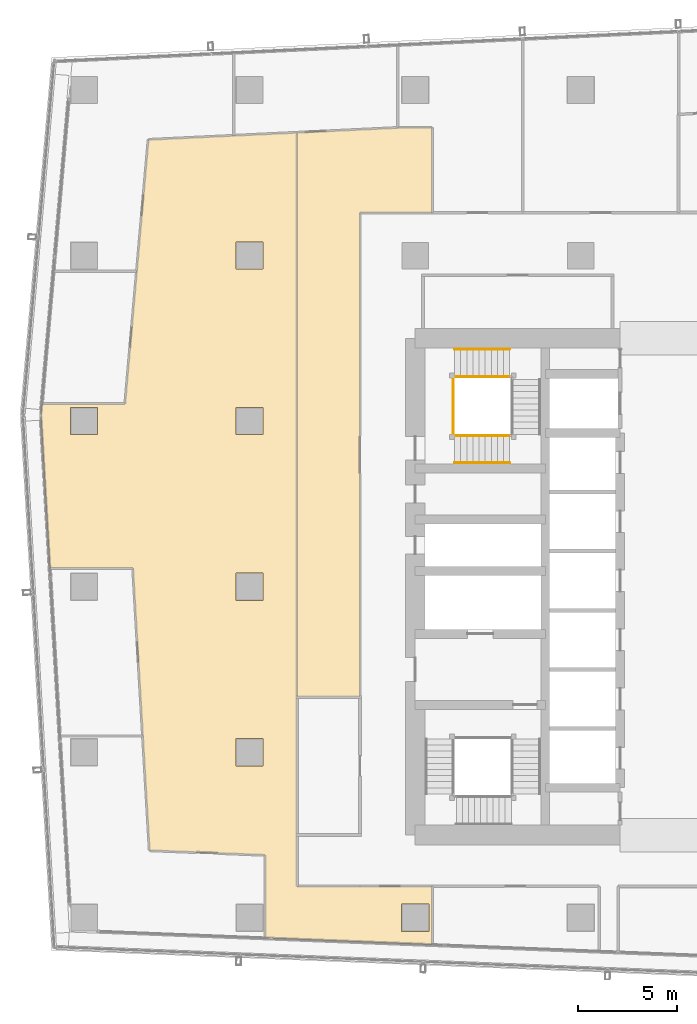
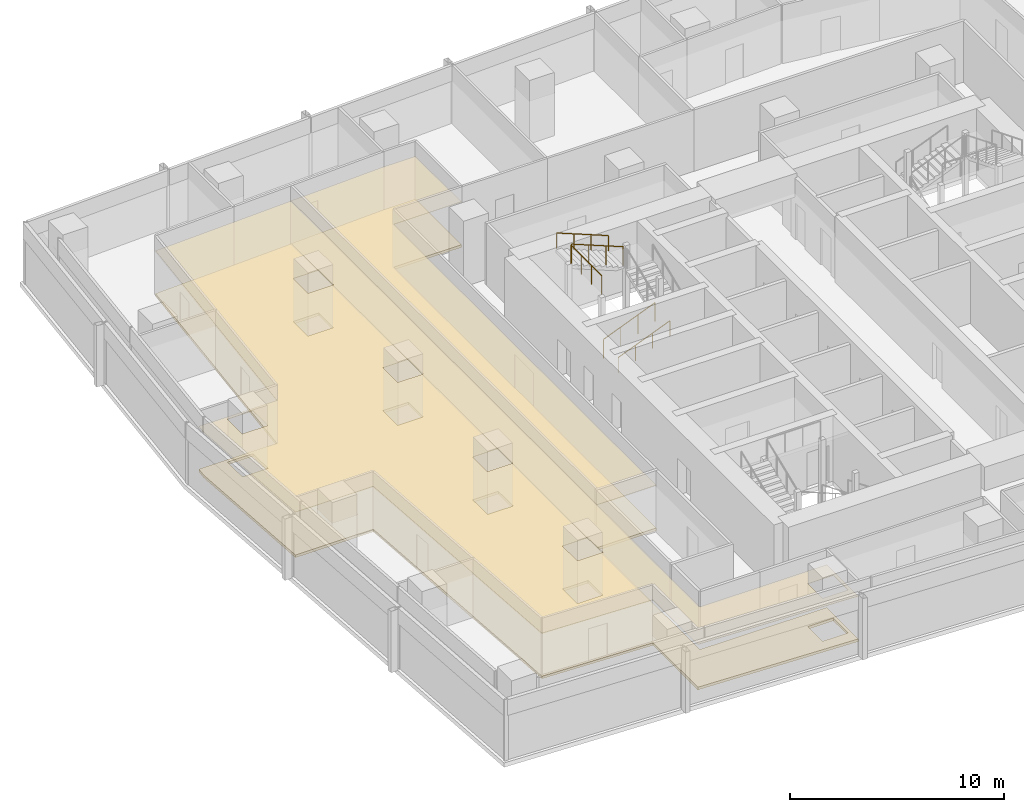
# One storey, part 33 of 38: 5 railings, 4 coverings.
"""IFC4 building model written with IfcOpenShell, lengths in metres."""

import ifcopenshell
import ifcopenshell.guid

model = None  # the IFC model being written
_history = None  # IfcOwnerHistory: only IFC2X3 demands one
_inside = {}  # id of a spatial element -> (the spatial element, [elements in it])
_under = {}  # id of a project, library or spatial element -> (it, [spatial elements below it])
_declared = {}  # id of a project -> (the project, [libraries it declares])
_typed = {}  # id of a type object -> (the type object, [elements of that type])
_made_of = {}  # id of a material, layer set ... -> (it, [elements and type objects made of it])


def new_model(schema):
    """Start an empty IFC model of exactly this schema.

    Asked for "IFC4X3", IfcOpenShell would pick the latest addendum, in which some entities
    have other attributes; the version numbers below select the first issue.
    IFC2X3 requires an IfcOwnerHistory on every rooted entity: one is made here for all.
    """
    global model, _history
    if schema == "IFC4X3":
        model = ifcopenshell.file(schema_version=(4, 3, 0, 0))
    else:
        model = ifcopenshell.file(schema=schema)
    _inside.clear()
    _under.clear()
    _declared.clear()
    _typed.clear()
    _made_of.clear()
    _history = None
    if model.schema == "IFC2X3":
        org = make("IfcOrganization", Name="unknown")
        user = make(
            "IfcPersonAndOrganization",
            ThePerson=make("IfcPerson", FamilyName="unknown"),
            TheOrganization=org,
        )
        app = make(
            "IfcApplication",
            ApplicationDeveloper=org,
            Version="unknown",
            ApplicationFullName="unknown",
            ApplicationIdentifier="unknown",
        )
        _history = make(
            "IfcOwnerHistory",
            OwningUser=user,
            OwningApplication=app,
            ChangeAction="ADDED",
            CreationDate=0,
        )
    return model


def make(cls, **values):
    """One entity of the class cls with the attributes given. An attribute that is None is left unset."""
    return model.create_entity(
        cls, **{name: value for name, value in values.items() if value is not None}
    )


def rooted(cls, **values):
    """An entity with a GlobalId (a new one), such as an element, a storey or a relation."""
    return make(cls, GlobalId=ifcopenshell.guid.new(), OwnerHistory=_history, **values)


def si_unit(unit_type, name, prefix=None):
    """IfcSIUnit, for example si_unit("LENGTHUNIT", "METRE", prefix="MILLI")."""
    return make("IfcSIUnit", UnitType=unit_type, Prefix=prefix, Name=name)


def assignment(units):
    """IfcUnitAssignment: the units of a project."""
    return None if units is None else make("IfcUnitAssignment", Units=units)


def point(xyz):
    """IfcCartesianPoint."""
    return None if xyz is None else make("IfcCartesianPoint", Coordinates=xyz)


def direction(xyz):
    """IfcDirection."""
    return None if xyz is None else make("IfcDirection", DirectionRatios=xyz)


def frame(location, z_axis=None, x_axis=None):
    """IfcAxis2Placement3D, a coordinate frame: its origin and axes. An axis left out is left unset."""
    return make(
        "IfcAxis2Placement3D",
        Location=point(location),
        Axis=direction(z_axis),
        RefDirection=direction(x_axis),
    )


def frame_2d(location, x_axis=None):
    """IfcAxis2Placement2D, a coordinate frame in the plane: its origin and x axis."""
    return make(
        "IfcAxis2Placement2D", Location=point(location), RefDirection=direction(x_axis)
    )


def origin():
    """The frame at (0, 0, 0) with its axes left unset."""
    return frame((0.0, 0.0, 0.0))


def origin_2d():
    """The frame at (0, 0) in the plane with its x axis left unset."""
    return frame_2d((0.0, 0.0))


def place(relative_to, where):
    """IfcLocalPlacement: puts the frame where relative to a parent placement (None: the world)."""
    return make(
        "IfcLocalPlacement", PlacementRelTo=relative_to, RelativePlacement=where
    )


def context(
    kind, dimensions, precision=None, world=None, true_north=None, identifier=None
):
    """IfcGeometricRepresentationContext, for example the 3D "Model" context."""
    return make(
        "IfcGeometricRepresentationContext",
        ContextIdentifier=identifier,
        ContextType=kind,
        CoordinateSpaceDimension=dimensions,
        Precision=precision,
        WorldCoordinateSystem=world,
        TrueNorth=true_north,
    )


def subcontext(parent, identifier, kind, view, scale=None):
    """IfcGeometricRepresentationSubContext, for example "Body" below "Model"."""
    return make(
        "IfcGeometricRepresentationSubContext",
        ContextIdentifier=identifier,
        ContextType=kind,
        ParentContext=parent,
        TargetScale=scale,
        TargetView=view,
    )


def project(units=None, contexts=None):
    """IfcProject with its units and contexts."""
    return rooted(
        "IfcProject",
        Name="project",
        RepresentationContexts=contexts,
        UnitsInContext=assignment(units),
    )


def spatial(cls, under=None, at=None, **own):
    """A site, building, storey or space (cls), placed at a placement, below another one or the project."""
    s = rooted(cls, ObjectPlacement=at, **own)
    if under is not None:
        _under.setdefault(under.id(), (under, []))[1].append(s)
    return s


def polyline(points):
    """IfcPolyline through the points."""
    return make("IfcPolyline", Points=[point(p) for p in points])


def profile(cls, at=None, kind="AREA", **sizes):
    """A parametric profile (cls). Its sizes go by their IFC names, for example OverallWidth=200.0."""
    return make(cls, ProfileType=kind, Position=at, **sizes)


def circle(**sizes):
    """IfcCircleProfileDef."""
    return profile("IfcCircleProfileDef", **sizes)


def outline(outer, holes=None, kind="AREA"):
    """IfcArbitraryClosedProfileDef: a profile drawn as a closed curve; with holes, ...WithVoids."""
    if holes is None:
        return make("IfcArbitraryClosedProfileDef", ProfileType=kind, OuterCurve=outer)
    return make(
        "IfcArbitraryProfileDefWithVoids",
        ProfileType=kind,
        OuterCurve=outer,
        InnerCurves=holes,
    )


def extrude(swept, where, along, depth):
    """IfcExtrudedAreaSolid: the profile swept, set in the frame where, extruded along a direction by depth."""
    return make(
        "IfcExtrudedAreaSolid",
        SweptArea=swept,
        Position=where,
        ExtrudedDirection=direction(along),
        Depth=depth,
    )


def shape(context_of_items, identifier, shape_type, items):
    """IfcShapeRepresentation: the items that make up one representation, for example the "Body"."""
    return make(
        "IfcShapeRepresentation",
        ContextOfItems=context_of_items,
        RepresentationIdentifier=identifier,
        RepresentationType=shape_type,
        Items=items,
    )


def material(Name=None, Category=None):
    """IfcMaterial."""
    return make("IfcMaterial", Name=Name, Category=Category)


def layer(
    of_material, thickness, ventilated=None, Name=None, Category=None, Priority=None
):
    """IfcMaterialLayer: one layer of a wall or slab, of a material (None: an air gap)."""
    return make(
        "IfcMaterialLayer",
        Material=of_material,
        LayerThickness=thickness,
        IsVentilated=ventilated,
        Name=Name,
        Category=Category,
        Priority=Priority,
    )


def layer_set(layers, Name=None):
    """IfcMaterialLayerSet."""
    return make("IfcMaterialLayerSet", MaterialLayers=layers, LayerSetName=Name)


def made_of(thing, what):
    """Note that an element or type object is made of a material, layer set ...; save() writes the relation."""
    if what is not None:
        _made_of.setdefault(what.id(), (what, []))[1].append(thing)
    return thing


def type_object(cls, material=None, **own):
    """A type object (cls), such as IfcWallType, which elements share."""
    return made_of(rooted(cls, **own), material)


def element(
    cls,
    number,
    at=None,
    inside=None,
    cuts=None,
    type_object=None,
    material=None,
    context=None,
    identifier="Body",
    shape_type=None,
    held_by="IfcProductDefinitionShape",
    body=None,
    shapes=None,
    **own,
):
    """One element of the class cls, such as IfcWall. Its Tag is "e" and its number.

    at: its placement. inside: the storey or other place that contains it. cuts: it is an
    opening in that element (IfcRelVoidsElement). A single representation is given by context,
    identifier, shape_type and body (its items); several are given by shapes. held_by: the class
    of the entity that holds the representations. save() writes the other relations.
    """
    e = rooted(cls, Tag="e%d" % number, ObjectPlacement=at, **own)
    if body is not None:
        shapes = [shape(context, identifier, shape_type, body)]
    if shapes is not None:
        e.Representation = make(held_by, Representations=shapes)
    if inside is not None:
        _inside.setdefault(inside.id(), (inside, []))[1].append(e)
    if cuts is not None:
        rooted(
            "IfcRelVoidsElement", RelatingBuildingElement=cuts, RelatedOpeningElement=e
        )
    if type_object is not None:
        _typed.setdefault(type_object.id(), (type_object, []))[1].append(e)
    return made_of(e, material)


def aggregate(whole, parts):
    """IfcRelAggregates: a whole, such as a stair, and the parts it consists of."""
    return rooted("IfcRelAggregates", RelatingObject=whole, RelatedObjects=parts)


def save(model, path):
    """Write the relations noted so far, then the file.

    IfcRelAggregates (storeys below a building ...), IfcRelContainedInSpatialStructure (elements
    in a storey), IfcRelDefinesByType, IfcRelAssociatesMaterial and IfcRelDeclares: one each for
    every whole, place, type object, material and project.
    """
    for whole, parts in _under.values():
        aggregate(whole, parts)
    for where, things in _inside.values():
        rooted(
            "IfcRelContainedInSpatialStructure",
            RelatedElements=things,
            RelatingStructure=where,
        )
    for kind, things in _typed.values():
        rooted("IfcRelDefinesByType", RelatedObjects=things, RelatingType=kind)
    for what, things in _made_of.values():
        rooted("IfcRelAssociatesMaterial", RelatedObjects=things, RelatingMaterial=what)
    for by, libraries in _declared.values():
        rooted("IfcRelDeclares", RelatingContext=by, RelatedDefinitions=libraries)
    model.write(path)


model = new_model("IFC4")

# Units and contexts
model_context = context("Model", 3, precision=1e-05, world=origin(), true_north=direction((0.0, 1.0)))
body_context = subcontext(model_context, "Body", "Model", "MODEL_VIEW")
ifc_project = project(units=[si_unit("LENGTHUNIT", "METRE"), si_unit("AREAUNIT", "SQUARE_METRE"), si_unit("VOLUMEUNIT", "CUBIC_METRE"), si_unit("PLANEANGLEUNIT", "RADIAN"), si_unit("MASSUNIT", "GRAM", prefix="KILO")], contexts=[model_context])

# Site, building, storey
site_placement = place(None, origin())
site = spatial("IfcSite", under=ifc_project, at=site_placement, CompositionType="ELEMENT")
building_placement = place(site_placement, origin())
building = spatial("IfcBuilding", under=site, at=building_placement, Name="Rekha Terrace Tower", CompositionType="ELEMENT")
storey_placement = place(building_placement, frame((0.0, 0.0, 202.699951171875)))
storey = spatial("IfcBuildingStorey", under=building, at=storey_placement, Name="L51", CompositionType="ELEMENT", Elevation=202.699951171875)

# Coverings
ifc_material_1 = material(Name="Mineral fibre tile in exposed grid", Category="finish")
ifc_layer_1 = layer(ifc_material_1, 0.02001953125)
ifc_layer_set_1 = layer_set([ifc_layer_1], Name="Mineral fibre tile in exposed grid")
covering_type_1 = type_object("IfcCoveringType", Name="CL1 600x1200 office grid ceiling", PredefinedType="CEILING", material=ifc_layer_set_1)
covering_1_placement = place(storey_placement, frame((0.0, 0.0, 2.580078125)))
element("IfcCovering", 1, at=covering_1_placement, inside=storey, type_object=covering_type_1, Name="Ceiling L51-17", PredefinedType="CEILING", context=body_context, shape_type="SweptSolid", body=[
    extrude(outline(polyline([(26.05810546875, 52.574951171875), (26.05810546875, 56.885009765625), (24.322021484375, 56.885009765625), (24.2890625, 56.883056640625), (19.199951171875, 56.639892578125), (19.199951171875, 28.0), (22.39990234375, 28.0), (22.39990234375, 52.574951171875), (26.05810546875, 52.574951171875)])), origin(), (0.0, 0.0, 1.0), 0.02001953125),
])
covering_2_placement = place(storey_placement, frame((0.0, 0.0, 2.580078125)))
element("IfcCovering", 2, at=covering_2_placement, inside=storey, type_object=covering_type_1, Name="Ceiling L51-O1b", PredefinedType="CEILING", context=body_context, shape_type="SweptSolid", body=[
    extrude(outline(polyline([(11.662109375, 56.280029296875), (11.072998046875, 49.60107421875), (10.47900390625, 42.87109375), (6.261962890625, 42.87109375), (6.212890625, 42.31396484375), (6.6708984375, 34.535888671875), (10.8779296875, 34.535888671875), (11.3798828125, 26.008056640625), (11.720947265625, 20.216064453125), (17.5849609375, 19.98193359375), (17.5849609375, 15.779052734375), (26.05810546875, 15.43994140625), (26.05810546875, 18.39990234375), (19.199951171875, 18.39990234375), (19.199951171875, 56.639892578125), (15.97412109375, 56.486083984375), (11.662109375, 56.280029296875)]), holes=[polyline([(25.889892578125, 17.489990234375), (25.889892578125, 16.110107421875), (24.510009765625, 16.110107421875), (24.510009765625, 17.489990234375), (25.889892578125, 17.489990234375)]), polyline([(17.489990234375, 24.510009765625), (16.110107421875, 24.510009765625), (16.110107421875, 25.889892578125), (17.489990234375, 25.889892578125), (17.489990234375, 24.510009765625)]), polyline([(17.489990234375, 32.909912109375), (16.110107421875, 32.909912109375), (16.110107421875, 34.2900390625), (17.489990234375, 34.2900390625), (17.489990234375, 32.909912109375)]), polyline([(17.489990234375, 42.68994140625), (17.489990234375, 41.31005859375), (16.110107421875, 41.31005859375), (16.110107421875, 42.68994140625), (17.489990234375, 42.68994140625)]), polyline([(17.489990234375, 51.090087890625), (17.489990234375, 49.7099609375), (16.110107421875, 49.7099609375), (16.110107421875, 51.090087890625), (17.489990234375, 51.090087890625)]), polyline([(9.090087890625, 41.31005859375), (7.7099609375, 41.31005859375), (7.7099609375, 42.68994140625), (9.090087890625, 42.68994140625), (9.090087890625, 41.31005859375)])]), origin(), (0.0, 0.0, 1.0), 0.02001953125),
])

# Railings
ifc_material_2 = material(Name="Stainless steel balustrade", Category="steel")
railing_type_1 = type_object("IfcRailingType", Name="GR1 1100 stair guard", PredefinedType="GUARDRAIL", material=ifc_material_2)
railing_1_placement = place(storey_placement, frame((27.199951171875, 41.264892578125, 0.125)))
element("IfcRailing", 3, at=railing_1_placement, inside=storey, type_object=railing_type_1, Name="Guard ST4 L51 flight 1", PredefinedType="GUARDRAIL", context=body_context, shape_type="SweptSolid", body=[
    extrude(circle(Radius=0.02392578125, at=origin_2d()), frame((0.0, 0.0, 1.076171875), z_axis=(0.927443287984, 0.0, 0.373963831907), x_axis=(0.0, 1.0, 0.0)), (0.0, 0.0, 1.0), 3.00830078125),
    extrude(circle(Radius=0.02099609375, at=origin_2d()), origin(), (0.0, 0.0, 1.0), 1.052001953125),
    extrude(circle(Radius=0.02099609375, at=origin_2d()), frame((0.929931640625, 0.0, 0.375)), (0.0, 0.0, 1.0), 1.052001953125),
    extrude(circle(Radius=0.02099609375, at=origin_2d()), frame((1.860107421875, 0.0, 0.75)), (0.0, 0.0, 1.0), 1.052001953125),
    extrude(circle(Radius=0.02099609375, at=origin_2d()), frame((2.7900390625, 0.0, 1.125)), (0.0, 0.0, 1.0), 1.052001953125),
])
railing_2_placement = place(storey_placement, frame((29.989990234375, 44.260009765625, 2.625)))
element("IfcRailing", 4, at=railing_2_placement, inside=storey, type_object=railing_type_1, Name="Guard ST4 L51 flight 3", PredefinedType="GUARDRAIL", context=body_context, shape_type="SweptSolid", body=[
    extrude(circle(Radius=0.02392578125, at=origin_2d()), frame((0.0, 0.0, 1.076171875), z_axis=(-0.927443287984, 0.0, 0.373963831907), x_axis=(0.0, -1.0, 0.0)), (0.0, 0.0, 1.0), 3.00830078125),
    extrude(circle(Radius=0.02099609375, at=origin_2d()), origin(), (0.0, 0.0, 1.0), 1.052001953125),
    extrude(circle(Radius=0.02099609375, at=origin_2d()), frame((-0.929931640625, 0.0, 0.375)), (0.0, 0.0, 1.0), 1.052001953125),
    extrude(circle(Radius=0.02099609375, at=origin_2d()), frame((-1.860107421875, 0.0, 0.75)), (0.0, 0.0, 1.0), 1.052001953125),
    extrude(circle(Radius=0.02099609375, at=origin_2d()), frame((-2.7900390625, 0.0, 1.125)), (0.0, 0.0, 1.0), 1.052001953125),
])
railing_3_placement = place(storey_placement, frame((27.139892578125, 41.324951171875, 3.75)))
element("IfcRailing", 5, at=railing_3_placement, inside=storey, type_object=railing_type_1, Name="Guard ST4 L51 landing 4", PredefinedType="GUARDRAIL", context=body_context, shape_type="SweptSolid", body=[
    extrude(circle(Radius=0.02392578125, at=origin_2d()), frame((0.0, 0.0, 1.076171875), z_axis=(0.0, 1.0, 0.0), x_axis=(-1.0, 0.0, 0.0)), (0.0, 0.0, 1.0), 2.875),
    extrude(circle(Radius=0.02099609375, at=origin_2d()), origin(), (0.0, 0.0, 1.0), 1.052001953125),
    extrude(circle(Radius=0.02099609375, at=origin_2d()), frame((0.0, 0.958251953125, 0.0)), (0.0, 0.0, 1.0), 1.052001953125),
    extrude(circle(Radius=0.02099609375, at=origin_2d()), frame((0.0, 1.916748046875, 0.0)), (0.0, 0.0, 1.0), 1.052001953125),
    extrude(circle(Radius=0.02099609375, at=origin_2d()), frame((0.0, 2.875, 0.0)), (0.0, 0.0, 1.0), 1.052001953125),
])
ifc_material_3 = material(Name="Stainless steel tube", Category="steel")
railing_type_2 = type_object("IfcRailingType", Name="HR1 900 stair handrail", PredefinedType="HANDRAIL", material=ifc_material_3)
railing_4_placement = place(storey_placement, frame((27.199951171875, 39.885009765625, 0.125)))
element("IfcRailing", 6, at=railing_4_placement, inside=storey, type_object=railing_type_2, Name="Handrail ST4 L51 flight 1", PredefinedType="HANDRAIL", context=body_context, shape_type="SweptSolid", body=[
    extrude(circle(Radius=0.02392578125, at=origin_2d()), frame((0.0, 0.0, 0.8759765625), z_axis=(0.927443287984, 0.0, 0.373963831907), x_axis=(0.0, 1.0, 0.0)), (0.0, 0.0, 1.0), 3.00830078125),
    extrude(circle(Radius=0.02099609375, at=origin_2d()), origin(), (0.0, 0.0, 1.0), 0.851806640625),
    extrude(circle(Radius=0.02099609375, at=origin_2d()), frame((0.929931640625, 0.0, 0.375)), (0.0, 0.0, 1.0), 0.851806640625),
    extrude(circle(Radius=0.02099609375, at=origin_2d()), frame((1.860107421875, 0.0, 0.75)), (0.0, 0.0, 1.0), 0.851806640625),
    extrude(circle(Radius=0.02099609375, at=origin_2d()), frame((2.7900390625, 0.0, 1.125)), (0.0, 0.0, 1.0), 0.851806640625),
])
railing_5_placement = place(storey_placement, frame((29.989990234375, 45.639892578125, 2.625)))
element("IfcRailing", 7, at=railing_5_placement, inside=storey, type_object=railing_type_2, Name="Handrail ST4 L51 flight 3", PredefinedType="HANDRAIL", context=body_context, shape_type="SweptSolid", body=[
    extrude(circle(Radius=0.02392578125, at=origin_2d()), frame((0.0, 0.0, 0.8759765625), z_axis=(-0.927443287984, 0.0, 0.373963831907), x_axis=(0.0, -1.0, 0.0)), (0.0, 0.0, 1.0), 3.00830078125),
    extrude(circle(Radius=0.02099609375, at=origin_2d()), origin(), (0.0, 0.0, 1.0), 0.851806640625),
    extrude(circle(Radius=0.02099609375, at=origin_2d()), frame((-0.929931640625, 0.0, 0.375)), (0.0, 0.0, 1.0), 0.851806640625),
    extrude(circle(Radius=0.02099609375, at=origin_2d()), frame((-1.860107421875, 0.0, 0.75)), (0.0, 0.0, 1.0), 0.851806640625),
    extrude(circle(Radius=0.02099609375, at=origin_2d()), frame((-2.7900390625, 0.0, 1.125)), (0.0, 0.0, 1.0), 0.851806640625),
])

# Coverings
ifc_material_4 = material(Name="Calcium sulphate panels on steel pedestals", Category="steel")
ifc_layer_2 = layer(ifc_material_4, 0.14990234375)
ifc_layer_set_2 = layer_set([ifc_layer_2], Name="Calcium sulphate panels on steel pedestals")
covering_type_2 = type_object("IfcCoveringType", Name="RF1 150 raised access floor", PredefinedType="FLOORING", material=ifc_layer_set_2)
covering_3_placement = place(storey_placement, origin())
element("IfcCovering", 8, at=covering_3_placement, inside=storey, type_object=covering_type_2, Name="Raised floor L51-17", PredefinedType="FLOORING", context=body_context, shape_type="SweptSolid", body=[
    extrude(outline(polyline([(26.05810546875, 52.574951171875), (26.05810546875, 56.885009765625), (24.322021484375, 56.885009765625), (24.2890625, 56.883056640625), (19.199951171875, 56.639892578125), (19.199951171875, 28.0), (22.39990234375, 28.0), (22.39990234375, 52.574951171875), (26.05810546875, 52.574951171875)])), origin(), (0.0, 0.0, 1.0), 0.150146484375),
])
covering_4_placement = place(storey_placement, origin())
element("IfcCovering", 9, at=covering_4_placement, inside=storey, type_object=covering_type_2, Name="Raised floor L51-O1b", PredefinedType="FLOORING", context=body_context, shape_type="SweptSolid", body=[
    extrude(outline(polyline([(11.662109375, 56.280029296875), (11.072998046875, 49.60107421875), (10.47900390625, 42.87109375), (6.261962890625, 42.87109375), (6.212890625, 42.31396484375), (6.6708984375, 34.535888671875), (10.8779296875, 34.535888671875), (11.3798828125, 26.008056640625), (11.720947265625, 20.216064453125), (17.5849609375, 19.98193359375), (17.5849609375, 15.779052734375), (26.05810546875, 15.43994140625), (26.05810546875, 18.39990234375), (19.199951171875, 18.39990234375), (19.199951171875, 56.639892578125), (15.97412109375, 56.486083984375), (11.662109375, 56.280029296875)]), holes=[polyline([(25.889892578125, 17.489990234375), (25.889892578125, 16.110107421875), (24.510009765625, 16.110107421875), (24.510009765625, 17.489990234375), (25.889892578125, 17.489990234375)]), polyline([(17.489990234375, 24.510009765625), (16.110107421875, 24.510009765625), (16.110107421875, 25.889892578125), (17.489990234375, 25.889892578125), (17.489990234375, 24.510009765625)]), polyline([(17.489990234375, 32.909912109375), (16.110107421875, 32.909912109375), (16.110107421875, 34.2900390625), (17.489990234375, 34.2900390625), (17.489990234375, 32.909912109375)]), polyline([(17.489990234375, 42.68994140625), (17.489990234375, 41.31005859375), (16.110107421875, 41.31005859375), (16.110107421875, 42.68994140625), (17.489990234375, 42.68994140625)]), polyline([(17.489990234375, 51.090087890625), (17.489990234375, 49.7099609375), (16.110107421875, 49.7099609375), (16.110107421875, 51.090087890625), (17.489990234375, 51.090087890625)]), polyline([(9.090087890625, 41.31005859375), (7.7099609375, 41.31005859375), (7.7099609375, 42.68994140625), (9.090087890625, 42.68994140625), (9.090087890625, 41.31005859375)])]), origin(), (0.0, 0.0, 1.0), 0.150146484375),
])

save(model, "model.ifc")
